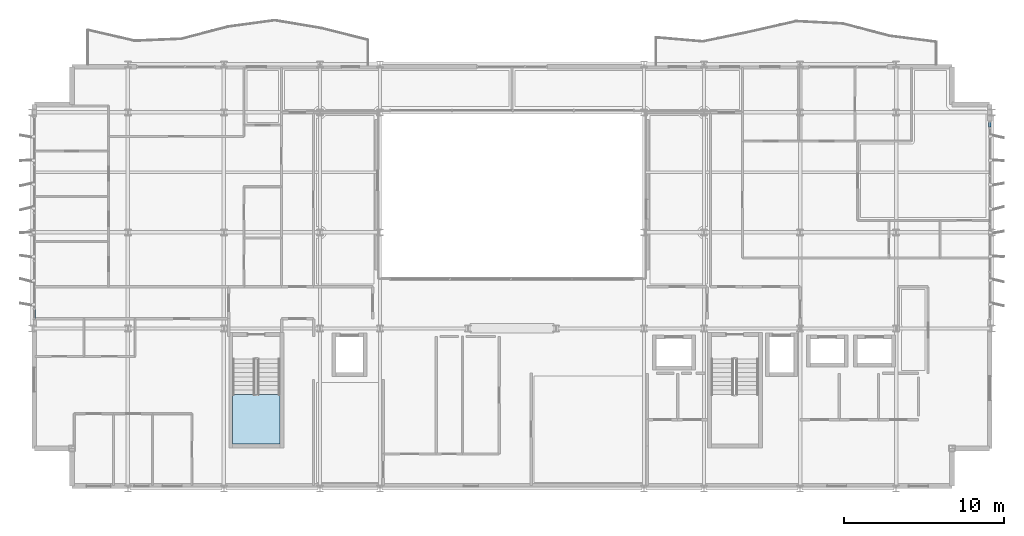
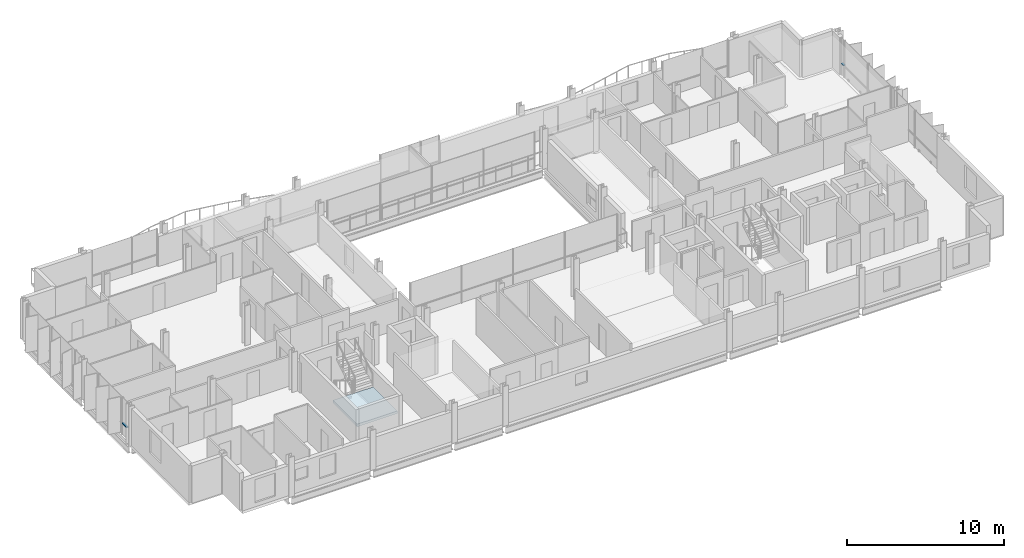
# One storey, part 24 of 38: 2 members, 1 slab, 3 elements without a shape of their own.
"""IFC4 building model written with IfcOpenShell, lengths in metres."""

from ifc_helpers import new_model, si_unit, direction, frame, origin, origin_2d, place, context, subcontext, project, spatial, polyline, hollow_rectangle, outline, extrude, material, layer, layer_set, material_profile, profile_set, type_object, element, aggregate, save


model = new_model("IFC4")

# Units and contexts
model_context = context("Model", 3, precision=1e-05, world=origin(), true_north=direction((0.0, 1.0)))
body_context = subcontext(model_context, "Body", "Model", "MODEL_VIEW")
ifc_project = project(units=[si_unit("LENGTHUNIT", "METRE"), si_unit("AREAUNIT", "SQUARE_METRE"), si_unit("VOLUMEUNIT", "CUBIC_METRE"), si_unit("PLANEANGLEUNIT", "RADIAN"), si_unit("MASSUNIT", "GRAM", prefix="KILO")], contexts=[model_context])

# Site, building, storey
site_placement = place(None, origin())
site = spatial("IfcSite", under=ifc_project, at=site_placement, CompositionType="ELEMENT")
building_placement = place(site_placement, origin())
building = spatial("IfcBuilding", under=site, at=building_placement, Name="Brevholm Reach", CompositionType="ELEMENT")
storey_placement = place(building_placement, frame((0.0, 0.0, 186.300048828125)))
storey = spatial("IfcBuildingStorey", under=building, at=storey_placement, Name="L56", CompositionType="ELEMENT", Elevation=186.300048828125)

# Curtain wall, member
ifc_material_1 = material(Name="Dark Anodised Aluminium 6063-T6 and Solar-Control Glass", Category="aluminium")
ifc_layer_1 = layer(ifc_material_1, 0.14990234375)
ifc_layer_set_1 = layer_set([ifc_layer_1], Name="Dark Anodised Aluminium 6063-T6 and Solar-Control Glass")
curtain_wall_type = type_object("IfcCurtainWallType", Name="CW-01", PredefinedType="NOTDEFINED", material=ifc_layer_set_1)
curtain_wall_1_placement = place(storey_placement, origin())
curtain_wall_1 = element("IfcCurtainWall", 1, at=curtain_wall_1_placement, inside=storey, type_object=curtain_wall_type, Name="L56 Curtain Wall CW-01", PredefinedType="NOTDEFINED")
ifc_material_2 = material(Name="Dark Anodised Aluminium 6063-T6", Category="aluminium")
ifc_material_profile = material_profile(ifc_material_2, hollow_rectangle(XDim=0.06494140625, YDim=0.14990234375, WallThickness=0.0048828125, InnerFilletRadius=0.0048828125, OuterFilletRadius=0.010009765625, at=origin_2d()), Name="RHS 150x65x5")
ifc_profile_set = profile_set([ifc_material_profile], Name="Dark Anodised Aluminium 6063-T6")
member_type = type_object("IfcMemberType", Name="CWT-150", PredefinedType="NOTDEFINED", material=ifc_profile_set)
member_1_placement = place(storey_placement, frame((0.14990234375, 11.1875, 0.89990234375), z_axis=(0.0, -1.0, 0.0), x_axis=(0.0, 0.0, 1.0)))
member_1 = element("IfcMember", 2, at=member_1_placement, type_object=member_type, Name="CT-150 Transom 5.1", ObjectType="TRANSOM", PredefinedType="USERDEFINED", context=body_context, shape_type="SweptSolid", body=[
    extrude(hollow_rectangle(XDim=0.06494140625, YDim=0.14990234375, WallThickness=0.0048828125, InnerFilletRadius=0.0048828125, OuterFilletRadius=0.010009765625, at=origin_2d()), origin(), (0.0, 0.0, 1.0), 0.572509765625),
])
aggregate(curtain_wall_1, [member_1])

curtain_wall_2_placement = place(storey_placement, origin())
curtain_wall_2 = element("IfcCurtainWall", 3, at=curtain_wall_2_placement, inside=storey, type_object=curtain_wall_type, Name="L56 Curtain Wall CW-01", PredefinedType="NOTDEFINED")
member_2_placement = place(storey_placement, frame((59.85009765625, 22.58251953125, 0.89990234375), z_axis=(0.0, 1.0, 0.0), x_axis=(0.0, 0.0, 1.0)))
member_2 = element("IfcMember", 4, at=member_2_placement, type_object=member_type, Name="CT-150 Transom 5.1", ObjectType="TRANSOM", PredefinedType="USERDEFINED", context=body_context, shape_type="SweptSolid", body=[
    extrude(hollow_rectangle(XDim=0.06494140625, YDim=0.14990234375, WallThickness=0.0048828125, InnerFilletRadius=0.0048828125, OuterFilletRadius=0.010009765625, at=origin_2d()), origin(), (0.0, 0.0, 1.0), 0.302490234375),
])
aggregate(curtain_wall_2, [member_2])

# Stair, slab
ifc_material_3 = material(Name="Precast Concrete C40/50", Category="concrete")
stair_type = type_object("IfcStairType", Name="STR-ESC-1400", PredefinedType="DOUBLE_RETURN_STAIR", material=ifc_material_3)
stair_placement = place(storey_placement, origin())
stair = element("IfcStair", 5, at=stair_placement, inside=storey, type_object=stair_type, Name="L56 ST-1", PredefinedType="DOUBLE_RETURN_STAIR")
ifc_material_4 = material(Name="Concrete C40/50", Category="concrete")
ifc_layer_2 = layer(ifc_material_4, 0.199951171875)
ifc_layer_set_2 = layer_set([ifc_layer_2], Name="Concrete C40/50")
slab_type = type_object("IfcSlabType", Name="SLB-LND-200", PredefinedType="LANDING", material=ifc_layer_set_2)
slab_placement = place(storey_placement, frame((0.0, 0.0, 1.349853515625)))
slab = element("IfcSlab", 6, at=slab_placement, type_object=slab_type, Name="ST-1 landing 1", PredefinedType="LANDING", context=body_context, shape_type="SweptSolid", body=[
    extrude(outline(polyline([(12.550048828125, 5.860107421875), (12.550048828125, 2.780029296875), (15.5, 2.780029296875), (15.5, 5.860107421875), (12.550048828125, 5.860107421875)])), origin(), (0.0, 0.0, 1.0), 0.2001953125),
])
aggregate(stair, [slab])

save(model, "model.ifc")
